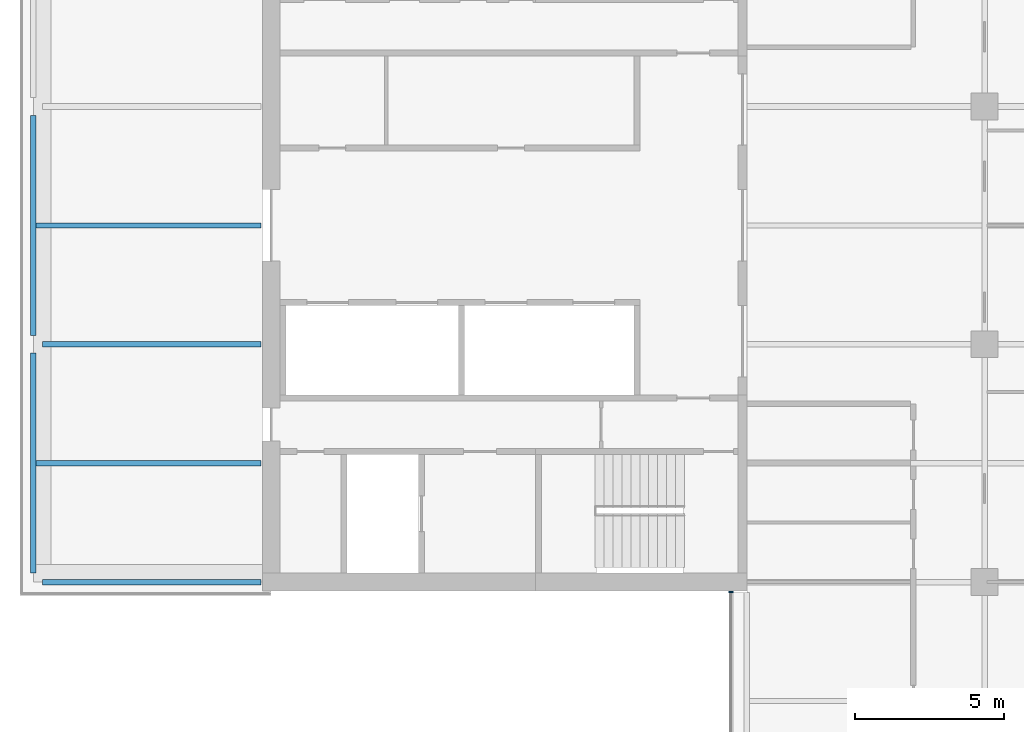
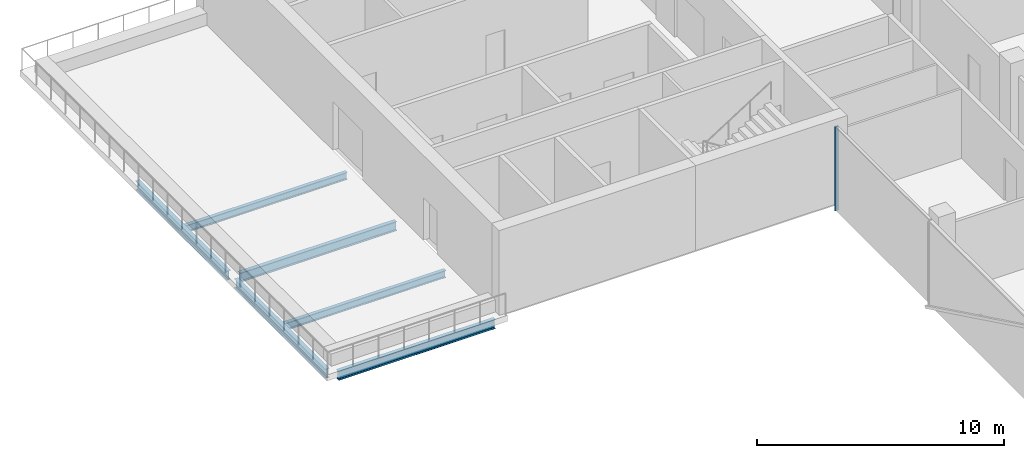
# One storey, part 3 of 18: 6 beams, 1 member, 1 element without a shape of its own.
"""IFC4 building model written with IfcOpenShell, lengths in metres."""

from ifc_helpers import new_model, si_unit, direction, frame, origin, origin_2d, place, context, subcontext, project, spatial, rectangle, i_section, extrude, material, material_profile, profile_set, type_object, element, aggregate, save


model = new_model("IFC4")

# Units and contexts
model_context = context("Model", 3, precision=1e-05, world=origin(), true_north=direction((0.0, 1.0)))
body_context = subcontext(model_context, "Body", "Model", "MODEL_VIEW")
ifc_project = project(units=[si_unit("LENGTHUNIT", "METRE"), si_unit("AREAUNIT", "SQUARE_METRE"), si_unit("VOLUMEUNIT", "CUBIC_METRE"), si_unit("PLANEANGLEUNIT", "RADIAN"), si_unit("MASSUNIT", "GRAM", prefix="KILO")], contexts=[model_context])

# Site, building, storey
site_placement = place(None, origin())
site = spatial("IfcSite", under=ifc_project, at=site_placement, CompositionType="ELEMENT")
building_placement = place(site_placement, origin())
building = spatial("IfcBuilding", under=site, at=building_placement, Name="Crosswind Convention Tower", CompositionType="ELEMENT")
storey_placement = place(building_placement, frame((0.0, 0.0, 178.89990234375)))
storey = spatial("IfcBuildingStorey", under=building, at=storey_placement, Name="L37", CompositionType="ELEMENT", Elevation=178.89990234375)

# Beams
ifc_material_1 = material(Name="Steel S355", Category="steel")
ifc_material_profile_1 = material_profile(ifc_material_1, i_section(OverallWidth=0.18994140625, OverallDepth=0.45361328125, WebThickness=0.008544921875, FlangeThickness=0.0126953125, FilletRadius=0.01025390625, at=origin_2d()), Name="UB 457x191x67")
ifc_profile_set_1 = profile_set([ifc_material_profile_1], Name="Steel S355")
beam_type_1 = type_object("IfcBeamType", Name="Edge beam UB 457x191x67", PredefinedType="SPANDREL", material=ifc_profile_set_1)
for number, where, z_axis, x_axis, name in (
    (1, (89.0, 88.300048828125, -0.526611328125), (0.0, 1.0, 0.0), (-1.0, 0.0, 0.0), "B16 L37 edge beam 1"),
    (2, (89.0, 96.300048828125, -0.526611328125), (0.0, 1.0, 0.0), (-1.0, 0.0, 0.0), "B16 L37 edge beam 2"),
):
    element("IfcBeam", number, at=place(storey_placement, frame(where, z_axis=z_axis, x_axis=x_axis)), inside=storey, type_object=beam_type_1, Name=name, PredefinedType="SPANDREL", context=body_context, shape_type="SweptSolid", body=[
        extrude(i_section(OverallWidth=0.18994140625, OverallDepth=0.45361328125, WebThickness=0.008544921875, FlangeThickness=0.0126953125, FilletRadius=0.01025390625, at=origin_2d()), origin(), (0.0, 0.0, 1.0), 7.39990234375),
    ])
beam_1_placement = place(storey_placement, frame((89.300048828125, 88.0, -0.526611328125), z_axis=(1.0, 0.0, 0.0), x_axis=(0.0, 1.0, 0.0)))
element("IfcBeam", 3, at=beam_1_placement, inside=storey, type_object=beam_type_1, Name="B16 L37 edge beam 4", PredefinedType="SPANDREL", context=body_context, shape_type="SweptSolid", body=[
    extrude(i_section(OverallWidth=0.18994140625, OverallDepth=0.45361328125, WebThickness=0.008544921875, FlangeThickness=0.0126953125, FilletRadius=0.01025390625, at=origin_2d()), origin(), (0.0, 0.0, 1.0), 7.349853515625),
])
ifc_material_profile_2 = material_profile(ifc_material_1, i_section(OverallWidth=0.19140625, OverallDepth=0.460205078125, WebThickness=0.010009765625, FlangeThickness=0.01611328125, FilletRadius=0.01025390625, at=origin_2d()), Name="UB 457x191x82")
ifc_profile_set_2 = profile_set([ifc_material_profile_2], Name="Steel S355")
beam_type_2 = type_object("IfcBeamType", Name="Girder at core wall UB 457x191x82", PredefinedType="BEAM", material=ifc_profile_set_2)
beam_2_placement = place(storey_placement, frame((89.300048828125, 96.0, -0.530029296875), z_axis=(1.0, 0.0, 0.0), x_axis=(0.0, 1.0, 0.0)))
element("IfcBeam", 4, at=beam_2_placement, inside=storey, type_object=beam_type_2, Name="B23 L37 girder at core wall 1", PredefinedType="BEAM", context=body_context, shape_type="SweptSolid", body=[
    extrude(i_section(OverallWidth=0.19140625, OverallDepth=0.460205078125, WebThickness=0.010009765625, FlangeThickness=0.01611328125, FilletRadius=0.01025390625, at=origin_2d()), origin(), (0.0, 0.0, 1.0), 7.349853515625),
])

# Curtain wall, member
ifc_material_2 = material(Name="Aluminium unitised curtain wall", Category="aluminium")
curtain_wall_type = type_object("IfcCurtainWallType", Name="CORE END SLOT WALL 160", PredefinedType="USERDEFINED", material=ifc_material_2)
curtain_wall_placement = place(storey_placement, origin())
curtain_wall = element("IfcCurtainWall", 5, at=curtain_wall_placement, inside=storey, type_object=curtain_wall_type, Name="CW6 L37 S-W.1-1 slot", ObjectType="UNITISED", PredefinedType="USERDEFINED")
ifc_material_3 = material(Name="Aluminium mullion", Category="aluminium")
ifc_material_profile_3 = material_profile(ifc_material_3, rectangle(XDim=0.159912109375, YDim=0.050048828125, at=origin_2d()), Name="AL 160X50")
ifc_profile_set_3 = profile_set([ifc_material_profile_3], Name="Aluminium mullion")
member_type = type_object("IfcMemberType", Name="MULLION 50X160", PredefinedType="MULLION", material=ifc_profile_set_3)
member_placement = place(storey_placement, frame((112.469970703125, 87.675048828125, -0.2998046875), z_axis=(0.0, 0.0, 1.0), x_axis=(-1.0, 0.0, 0.0)))
member = element("IfcMember", 6, at=member_placement, type_object=member_type, Name="CW6 mullion 1", PredefinedType="MULLION", context=body_context, shape_type="SweptSolid", body=[
    extrude(rectangle(XDim=0.159912109375, YDim=0.050048828125, at=origin_2d()), origin(), (0.0, 0.0, 1.0), 4.14990234375),
])
aggregate(curtain_wall, [member])

# Beams
ifc_material_profile_4 = material_profile(ifc_material_1, i_section(OverallWidth=0.172119140625, OverallDepth=0.358642578125, WebThickness=0.008056640625, FlangeThickness=0.012939453125, FilletRadius=0.01025390625, at=origin_2d()), Name="UB 356x171x57")
ifc_profile_set_4 = profile_set([ifc_material_profile_4], Name="Steel S355")
beam_type_3 = type_object("IfcBeamType", Name="Secondary beam UB 356x171x57", PredefinedType="JOIST", material=ifc_profile_set_4)
for number, where, z_axis, x_axis, name in (
    (7, (89.094970703125, 92.0, -0.479248046875), (1.0, 0.0, 0.0), (0.0, 1.0, 0.0), "B9 L37 secondary beam 1"),
    (8, (89.094970703125, 100.0, -0.479248046875), (1.0, 0.0, 0.0), (0.0, 1.0, 0.0), "B9 L37 secondary beam 2"),
):
    element("IfcBeam", number, at=place(storey_placement, frame(where, z_axis=z_axis, x_axis=x_axis)), inside=storey, type_object=beam_type_3, Name=name, PredefinedType="JOIST", context=body_context, shape_type="SweptSolid", body=[
        extrude(i_section(OverallWidth=0.172119140625, OverallDepth=0.358642578125, WebThickness=0.008056640625, FlangeThickness=0.012939453125, FilletRadius=0.01025390625, at=origin_2d()), origin(), (0.0, 0.0, 1.0), 7.554931640625),
    ])

save(model, "model.ifc")
